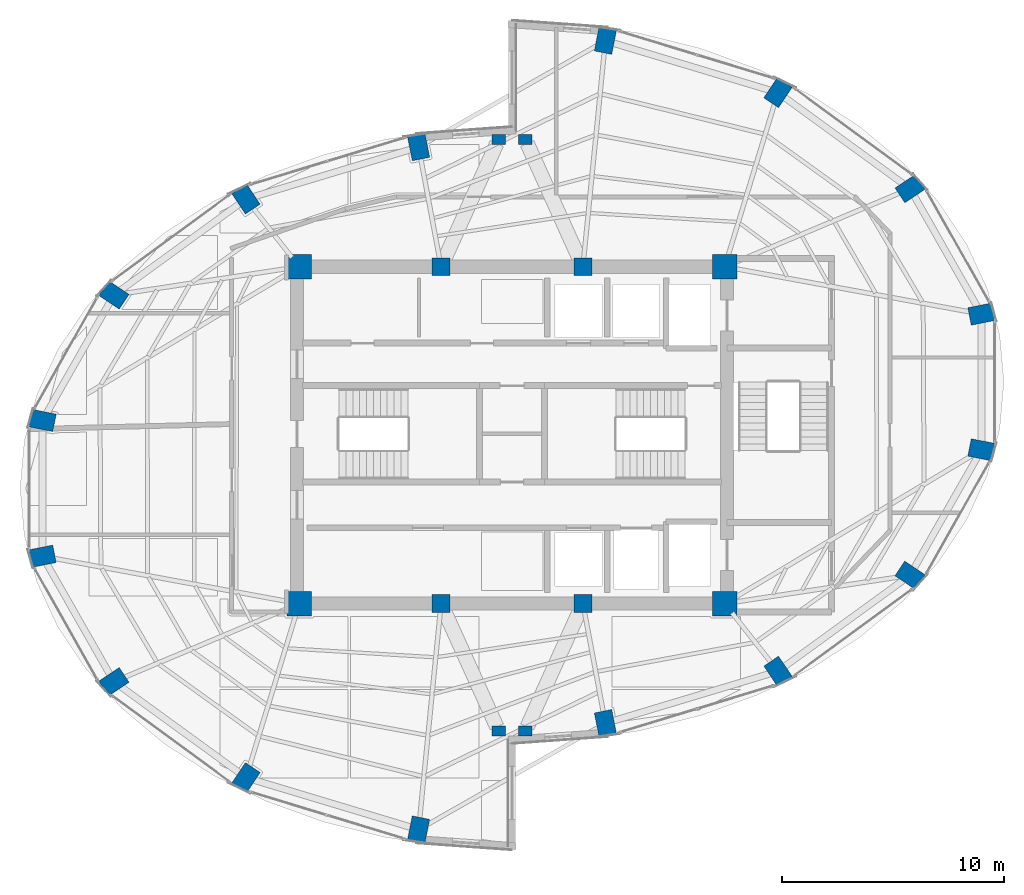
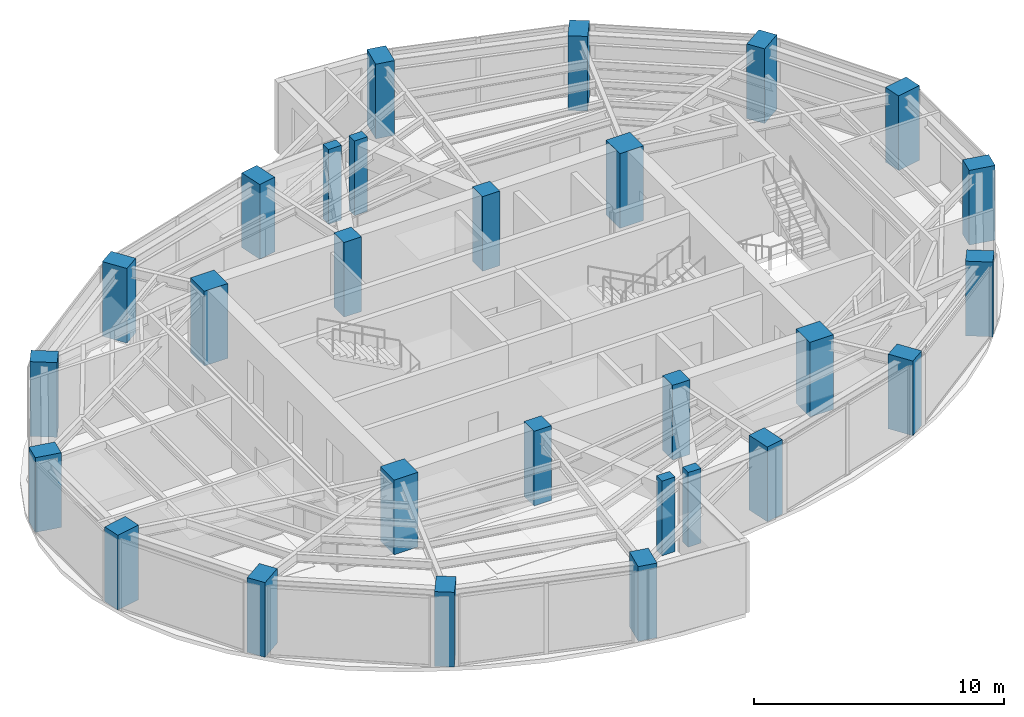
# One storey, part 1 of 22: 28 columns.
"""IFC4 building model written with IfcOpenShell, lengths in metres."""

from ifc_helpers import new_model, si_unit, direction, frame, origin, origin_2d, place, context, subcontext, project, spatial, rectangle, extrude, material, material_profile, profile_set, type_object, element, save


model = new_model("IFC4")

# Units and contexts
model_context = context("Model", 3, precision=1e-05, world=origin(), true_north=direction((0.0, 1.0)))
body_context = subcontext(model_context, "Body", "Model", "MODEL_VIEW")
ifc_project = project(units=[si_unit("LENGTHUNIT", "METRE"), si_unit("AREAUNIT", "SQUARE_METRE"), si_unit("VOLUMEUNIT", "CUBIC_METRE"), si_unit("PLANEANGLEUNIT", "RADIAN"), si_unit("MASSUNIT", "GRAM", prefix="KILO")], contexts=[model_context])

# Site, building, storey
site_placement = place(None, origin())
site = spatial("IfcSite", under=ifc_project, at=site_placement, CompositionType="ELEMENT")
building_placement = place(site_placement, origin())
building = spatial("IfcBuilding", under=site, at=building_placement, Name="Lazwardi Medical Tower", CompositionType="ELEMENT")
storey_placement = place(building_placement, frame((0.0, 0.0, 227.6640625)))
storey = spatial("IfcBuildingStorey", under=building, at=storey_placement, Name="L59", CompositionType="ELEMENT", Elevation=227.6640625)

# Columns
ifc_material_1 = material(Name="Concrete C80/95", Category="concrete")
ifc_material_profile_1 = material_profile(ifc_material_1, rectangle(XDim=1.10009765625, YDim=1.10009765625, at=origin_2d()), Name="RC 1100x1100")
ifc_profile_set_1 = profile_set([ifc_material_profile_1], Name="Concrete C80/95")
column_type_1 = type_object("IfcColumnType", Name="COL-CC-L", PredefinedType="COLUMN", material=ifc_profile_set_1)
for number, where, z_axis, x_axis, name in (
    (1, (26.39990234375, 20.39990234375, 0.0), (0.0, 0.0, 1.0), (1.0, 0.0, 0.0), "Core column CC-01 CC1 L59"),
    (2, (45.60009765625, 20.39990234375, 0.0), (0.0, 0.0, 1.0), (1.0, 0.0, 0.0), "Core column CC-01 CC4 L59"),
    (3, (45.60009765625, 35.60009765625, 0.0), (0.0, 0.0, 1.0), (1.0, 0.0, 0.0), "Core column CC-01 CC5 L59"),
    (4, (26.39990234375, 35.60009765625, 0.0), (0.0, 0.0, 1.0), (1.0, 0.0, 0.0), "Core column CC-01 CC8 L59"),
):
    element("IfcColumn", number, at=place(storey_placement, frame(where, z_axis=z_axis, x_axis=x_axis)), inside=storey, type_object=column_type_1, Name=name, PredefinedType="COLUMN", context=body_context, shape_type="SweptSolid", body=[
        extrude(rectangle(XDim=1.10009765625, YDim=1.10009765625, at=origin_2d()), origin(), (0.0, 0.0, 1.0), 3.64794921875),
    ])
ifc_material_2 = material(Name="Concrete C60/75", Category="concrete")
ifc_material_profile_2 = material_profile(ifc_material_2, rectangle(XDim=0.800048828125, YDim=0.800048828125, at=origin_2d()), Name="RC 800x800")
ifc_profile_set_2 = profile_set([ifc_material_profile_2], Name="Concrete C60/75")
column_type_2 = type_object("IfcColumnType", Name="COL-CC-U", PredefinedType="COLUMN", material=ifc_profile_set_2)
for number, where, z_axis, x_axis, name in (
    (5, (32.800048828125, 20.39990234375, 0.0), (0.0, 0.0, 1.0), (1.0, 0.0, 0.0), "Core column CC-03 CC2 L59"),
    (6, (39.199951171875, 20.39990234375, 0.0), (0.0, 0.0, 1.0), (1.0, 0.0, 0.0), "Core column CC-03 CC3 L59"),
    (7, (39.199951171875, 35.60009765625, 0.0), (0.0, 0.0, 1.0), (1.0, 0.0, 0.0), "Core column CC-03 CC6 L59"),
    (8, (32.800048828125, 35.60009765625, 0.0), (0.0, 0.0, 1.0), (1.0, 0.0, 0.0), "Core column CC-03 CC7 L59"),
):
    element("IfcColumn", number, at=place(storey_placement, frame(where, z_axis=z_axis, x_axis=x_axis)), inside=storey, type_object=column_type_2, Name=name, PredefinedType="COLUMN", context=body_context, shape_type="SweptSolid", body=[
        extrude(rectangle(XDim=0.800048828125, YDim=0.800048828125, at=origin_2d()), origin(), (0.0, 0.0, 1.0), 3.64794921875),
    ])
ifc_material_profile_3 = material_profile(ifc_material_2, rectangle(XDim=1.10009765625, YDim=0.800048828125, at=origin_2d()), Name="CFT-RECT 1100x800")
ifc_profile_set_3 = profile_set([ifc_material_profile_3], Name="Concrete C60/75")
column_type_3 = type_object("IfcColumnType", Name="COL-MC-Z4", PredefinedType="COLUMN", material=ifc_profile_set_3)
for number, where, z_axis, x_axis, name in (
    (9, (40.214111328125, 15.001708984375, 0.0), (0.0, 0.0, 1.0), (0.195090322016, -0.980785280403, 0.0), "Mega column MC-06 M01 L59"),
    (10, (48.000244140625, 17.345947265625, 0.0), (0.0, 0.0, 1.0), (0.55557023302, -0.831469612303, 0.0), "Mega column MC-06 M02 L59"),
    (11, (53.959716796875, 21.677490234375, 0.0), (0.0, 0.0, 1.0), (0.831469612303, -0.55557023302, 0.0), "Mega column MC-06 M03 L59"),
    (12, (57.18505859375, 27.337158203125, 0.0), (0.0, 0.0, 1.0), (0.980785280403, -0.195090322016, 0.0), "Mega column MC-06 M04 L59"),
    (13, (57.18505859375, 33.462890625, 0.0), (0.0, 0.0, 1.0), (0.980785280403, 0.195090322016, 0.0), "Mega column MC-06 M05 L59"),
    (14, (53.959716796875, 39.12255859375, 0.0), (0.0, 0.0, 1.0), (0.831469612303, 0.55557023302, 0.0), "Mega column MC-06 M06 L59"),
    (15, (48.000244140625, 43.4541015625, 0.0), (0.0, 0.0, 1.0), (0.55557023302, 0.831469612303, 0.0), "Mega column MC-06 M07 L59"),
    (16, (40.214111328125, 45.79833984375, 0.0), (0.0, 0.0, 1.0), (0.195090322016, 0.980785280403, 0.0), "Mega column MC-06 M08 L59"),
    (17, (31.785888671875, 40.998291015625, 0.0), (0.0, 0.0, 1.0), (-0.195090322016, 0.980785280403, 0.0), "Mega column MC-06 M09 L59"),
    (18, (23.999755859375, 38.654052734375, 0.0), (0.0, 0.0, 1.0), (-0.55557023302, 0.831469612303, 0.0), "Mega column MC-06 M10 L59"),
    (19, (18.040283203125, 34.322509765625, 0.0), (0.0, 0.0, 1.0), (-0.831469612303, 0.55557023302, 0.0), "Mega column MC-06 M11 L59"),
    (20, (14.81494140625, 28.662841796875, 0.0), (0.0, 0.0, 1.0), (-0.980785280403, 0.195090322016, 0.0), "Mega column MC-06 M12 L59"),
    (21, (14.81494140625, 22.537109375, 0.0), (0.0, 0.0, 1.0), (-0.980785280403, -0.195090322016, 0.0), "Mega column MC-06 M13 L59"),
    (22, (18.040283203125, 16.87744140625, 0.0), (0.0, 0.0, 1.0), (-0.831469612303, -0.55557023302, 0.0), "Mega column MC-06 M14 L59"),
    (23, (23.999755859375, 12.5458984375, 0.0), (0.0, 0.0, 1.0), (-0.55557023302, -0.831469612303, 0.0), "Mega column MC-06 M15 L59"),
    (24, (31.785888671875, 10.20166015625, 0.0), (0.0, 0.0, 1.0), (-0.195090322016, -0.980785280403, 0.0), "Mega column MC-06 M16 L59"),
):
    element("IfcColumn", number, at=place(storey_placement, frame(where, z_axis=z_axis, x_axis=x_axis)), inside=storey, type_object=column_type_3, Name=name, PredefinedType="COLUMN", context=body_context, shape_type="SweptSolid", body=[
        extrude(rectangle(XDim=1.10009765625, YDim=0.800048828125, at=origin_2d()), origin(), (0.0, 0.0, 1.0), 3.64794921875),
    ])
ifc_material_profile_4 = material_profile(ifc_material_2, rectangle(XDim=0.60009765625, YDim=0.449951171875, at=origin_2d()), Name="RC 600x450")
ifc_profile_set_4 = profile_set([ifc_material_profile_4], Name="Concrete C60/75")
column_type_4 = type_object("IfcColumnType", Name="COL-PL-IW", PredefinedType="PILASTER", material=ifc_profile_set_4)
for number, where, z_axis, x_axis, name in (
    (25, (35.39990234375, 41.35009765625, 0.0), (0.0, 0.0, 1.0), (1.0, 0.0, 0.0), "Iwan pilaster column PL-C1 PL1 L59"),
    (26, (36.60009765625, 41.35009765625, 0.0), (0.0, 0.0, 1.0), (1.0, 0.0, 0.0), "Iwan pilaster column PL-C1 PL2 L59"),
    (27, (35.39990234375, 14.64990234375, 0.0), (0.0, 0.0, 1.0), (1.0, 0.0, 0.0), "Iwan pilaster column PL-C1 PL3 L59"),
    (28, (36.60009765625, 14.64990234375, 0.0), (0.0, 0.0, 1.0), (1.0, 0.0, 0.0), "Iwan pilaster column PL-C1 PL4 L59"),
):
    element("IfcColumn", number, at=place(storey_placement, frame(where, z_axis=z_axis, x_axis=x_axis)), inside=storey, type_object=column_type_4, Name=name, PredefinedType="PILASTER", context=body_context, shape_type="SweptSolid", body=[
        extrude(rectangle(XDim=0.60009765625, YDim=0.449951171875, at=origin_2d()), origin(), (0.0, 0.0, 1.0), 3.64794921875),
    ])

save(model, "model.ifc")
